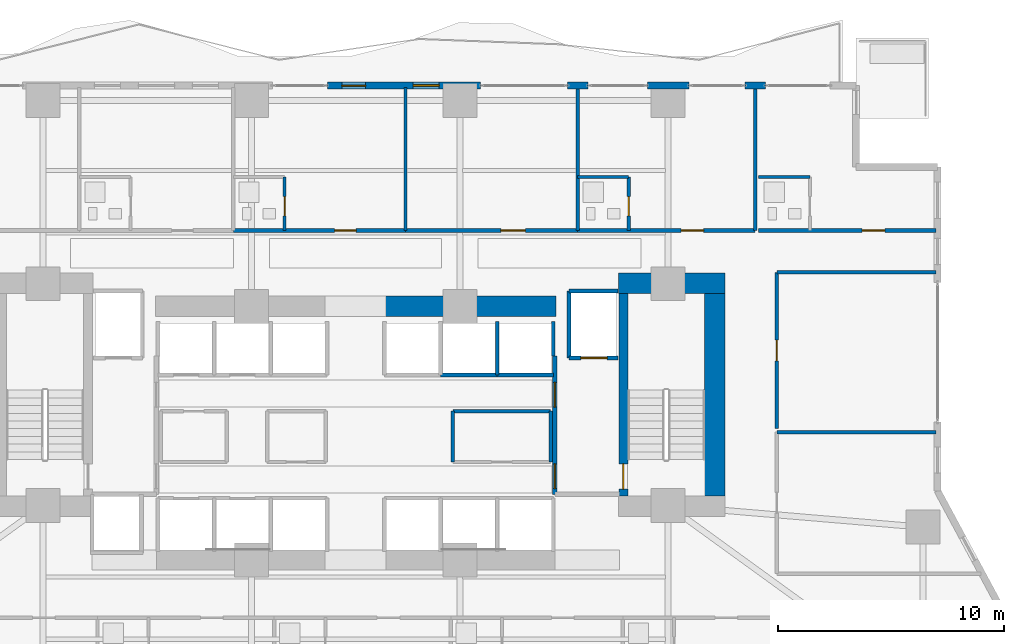
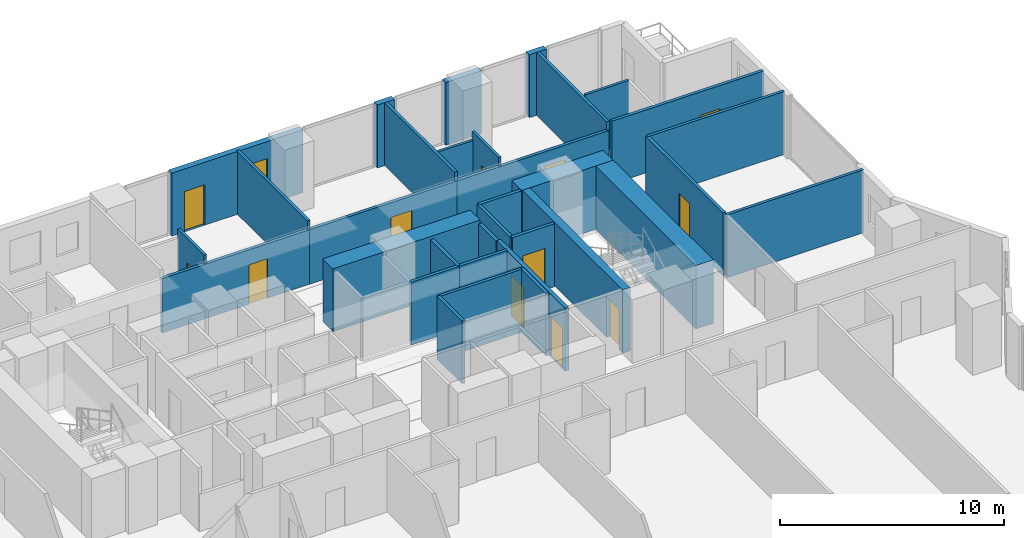
# One storey, part 22 of 28: 33 walls, 12 doors, 1 window, 13 openings.
"""IFC4 building model written with IfcOpenShell, lengths in metres."""

import ifcopenshell
import ifcopenshell.guid

model = None  # the IFC model being written
_history = None  # IfcOwnerHistory: only IFC2X3 demands one
_inside = {}  # id of a spatial element -> (the spatial element, [elements in it])
_under = {}  # id of a project, library or spatial element -> (it, [spatial elements below it])
_declared = {}  # id of a project -> (the project, [libraries it declares])
_typed = {}  # id of a type object -> (the type object, [elements of that type])
_made_of = {}  # id of a material, layer set ... -> (it, [elements and type objects made of it])


def new_model(schema):
    """Start an empty IFC model of exactly this schema.

    Asked for "IFC4X3", IfcOpenShell would pick the latest addendum, in which some entities
    have other attributes; the version numbers below select the first issue.
    IFC2X3 requires an IfcOwnerHistory on every rooted entity: one is made here for all.
    """
    global model, _history
    if schema == "IFC4X3":
        model = ifcopenshell.file(schema_version=(4, 3, 0, 0))
    else:
        model = ifcopenshell.file(schema=schema)
    _inside.clear()
    _under.clear()
    _declared.clear()
    _typed.clear()
    _made_of.clear()
    _history = None
    if model.schema == "IFC2X3":
        org = make("IfcOrganization", Name="unknown")
        user = make(
            "IfcPersonAndOrganization",
            ThePerson=make("IfcPerson", FamilyName="unknown"),
            TheOrganization=org,
        )
        app = make(
            "IfcApplication",
            ApplicationDeveloper=org,
            Version="unknown",
            ApplicationFullName="unknown",
            ApplicationIdentifier="unknown",
        )
        _history = make(
            "IfcOwnerHistory",
            OwningUser=user,
            OwningApplication=app,
            ChangeAction="ADDED",
            CreationDate=0,
        )
    return model


def make(cls, **values):
    """One entity of the class cls with the attributes given. An attribute that is None is left unset."""
    return model.create_entity(
        cls, **{name: value for name, value in values.items() if value is not None}
    )


def rooted(cls, **values):
    """An entity with a GlobalId (a new one), such as an element, a storey or a relation."""
    return make(cls, GlobalId=ifcopenshell.guid.new(), OwnerHistory=_history, **values)


def si_unit(unit_type, name, prefix=None):
    """IfcSIUnit, for example si_unit("LENGTHUNIT", "METRE", prefix="MILLI")."""
    return make("IfcSIUnit", UnitType=unit_type, Prefix=prefix, Name=name)


def assignment(units):
    """IfcUnitAssignment: the units of a project."""
    return None if units is None else make("IfcUnitAssignment", Units=units)


def point(xyz):
    """IfcCartesianPoint."""
    return None if xyz is None else make("IfcCartesianPoint", Coordinates=xyz)


def direction(xyz):
    """IfcDirection."""
    return None if xyz is None else make("IfcDirection", DirectionRatios=xyz)


def frame(location, z_axis=None, x_axis=None):
    """IfcAxis2Placement3D, a coordinate frame: its origin and axes. An axis left out is left unset."""
    return make(
        "IfcAxis2Placement3D",
        Location=point(location),
        Axis=direction(z_axis),
        RefDirection=direction(x_axis),
    )


def frame_2d(location, x_axis=None):
    """IfcAxis2Placement2D, a coordinate frame in the plane: its origin and x axis."""
    return make(
        "IfcAxis2Placement2D", Location=point(location), RefDirection=direction(x_axis)
    )


def origin():
    """The frame at (0, 0, 0) with its axes left unset."""
    return frame((0.0, 0.0, 0.0))


def place(relative_to, where):
    """IfcLocalPlacement: puts the frame where relative to a parent placement (None: the world)."""
    return make(
        "IfcLocalPlacement", PlacementRelTo=relative_to, RelativePlacement=where
    )


def context(
    kind, dimensions, precision=None, world=None, true_north=None, identifier=None
):
    """IfcGeometricRepresentationContext, for example the 3D "Model" context."""
    return make(
        "IfcGeometricRepresentationContext",
        ContextIdentifier=identifier,
        ContextType=kind,
        CoordinateSpaceDimension=dimensions,
        Precision=precision,
        WorldCoordinateSystem=world,
        TrueNorth=true_north,
    )


def subcontext(parent, identifier, kind, view, scale=None):
    """IfcGeometricRepresentationSubContext, for example "Body" below "Model"."""
    return make(
        "IfcGeometricRepresentationSubContext",
        ContextIdentifier=identifier,
        ContextType=kind,
        ParentContext=parent,
        TargetScale=scale,
        TargetView=view,
    )


def project(units=None, contexts=None):
    """IfcProject with its units and contexts."""
    return rooted(
        "IfcProject",
        Name="project",
        RepresentationContexts=contexts,
        UnitsInContext=assignment(units),
    )


def spatial(cls, under=None, at=None, **own):
    """A site, building, storey or space (cls), placed at a placement, below another one or the project."""
    s = rooted(cls, ObjectPlacement=at, **own)
    if under is not None:
        _under.setdefault(under.id(), (under, []))[1].append(s)
    return s


def profile(cls, at=None, kind="AREA", **sizes):
    """A parametric profile (cls). Its sizes go by their IFC names, for example OverallWidth=200.0."""
    return make(cls, ProfileType=kind, Position=at, **sizes)


def rectangle(**sizes):
    """IfcRectangleProfileDef."""
    return profile("IfcRectangleProfileDef", **sizes)


def extrude(swept, where, along, depth):
    """IfcExtrudedAreaSolid: the profile swept, set in the frame where, extruded along a direction by depth."""
    return make(
        "IfcExtrudedAreaSolid",
        SweptArea=swept,
        Position=where,
        ExtrudedDirection=direction(along),
        Depth=depth,
    )


def shape(context_of_items, identifier, shape_type, items):
    """IfcShapeRepresentation: the items that make up one representation, for example the "Body"."""
    return make(
        "IfcShapeRepresentation",
        ContextOfItems=context_of_items,
        RepresentationIdentifier=identifier,
        RepresentationType=shape_type,
        Items=items,
    )


def material(Name=None, Category=None):
    """IfcMaterial."""
    return make("IfcMaterial", Name=Name, Category=Category)


def layer(
    of_material, thickness, ventilated=None, Name=None, Category=None, Priority=None
):
    """IfcMaterialLayer: one layer of a wall or slab, of a material (None: an air gap)."""
    return make(
        "IfcMaterialLayer",
        Material=of_material,
        LayerThickness=thickness,
        IsVentilated=ventilated,
        Name=Name,
        Category=Category,
        Priority=Priority,
    )


def layer_set(layers, Name=None):
    """IfcMaterialLayerSet."""
    return make("IfcMaterialLayerSet", MaterialLayers=layers, LayerSetName=Name)


def made_of(thing, what):
    """Note that an element or type object is made of a material, layer set ...; save() writes the relation."""
    if what is not None:
        _made_of.setdefault(what.id(), (what, []))[1].append(thing)
    return thing


def type_object(cls, material=None, **own):
    """A type object (cls), such as IfcWallType, which elements share."""
    return made_of(rooted(cls, **own), material)


def element(
    cls,
    number,
    at=None,
    inside=None,
    cuts=None,
    type_object=None,
    material=None,
    context=None,
    identifier="Body",
    shape_type=None,
    held_by="IfcProductDefinitionShape",
    body=None,
    shapes=None,
    **own,
):
    """One element of the class cls, such as IfcWall. Its Tag is "e" and its number.

    at: its placement. inside: the storey or other place that contains it. cuts: it is an
    opening in that element (IfcRelVoidsElement). A single representation is given by context,
    identifier, shape_type and body (its items); several are given by shapes. held_by: the class
    of the entity that holds the representations. save() writes the other relations.
    """
    e = rooted(cls, Tag="e%d" % number, ObjectPlacement=at, **own)
    if body is not None:
        shapes = [shape(context, identifier, shape_type, body)]
    if shapes is not None:
        e.Representation = make(held_by, Representations=shapes)
    if inside is not None:
        _inside.setdefault(inside.id(), (inside, []))[1].append(e)
    if cuts is not None:
        rooted(
            "IfcRelVoidsElement", RelatingBuildingElement=cuts, RelatedOpeningElement=e
        )
    if type_object is not None:
        _typed.setdefault(type_object.id(), (type_object, []))[1].append(e)
    return made_of(e, material)


def fill(opening, filler):
    """IfcRelFillsElement: the door or window that sits in an opening."""
    return rooted(
        "IfcRelFillsElement",
        RelatingOpeningElement=opening,
        RelatedBuildingElement=filler,
    )


def aggregate(whole, parts):
    """IfcRelAggregates: a whole, such as a stair, and the parts it consists of."""
    return rooted("IfcRelAggregates", RelatingObject=whole, RelatedObjects=parts)


def save(model, path):
    """Write the relations noted so far, then the file.

    IfcRelAggregates (storeys below a building ...), IfcRelContainedInSpatialStructure (elements
    in a storey), IfcRelDefinesByType, IfcRelAssociatesMaterial and IfcRelDeclares: one each for
    every whole, place, type object, material and project.
    """
    for whole, parts in _under.values():
        aggregate(whole, parts)
    for where, things in _inside.values():
        rooted(
            "IfcRelContainedInSpatialStructure",
            RelatedElements=things,
            RelatingStructure=where,
        )
    for kind, things in _typed.values():
        rooted("IfcRelDefinesByType", RelatedObjects=things, RelatingType=kind)
    for what, things in _made_of.values():
        rooted("IfcRelAssociatesMaterial", RelatedObjects=things, RelatingMaterial=what)
    for by, libraries in _declared.values():
        rooted("IfcRelDeclares", RelatingContext=by, RelatedDefinitions=libraries)
    model.write(path)


model = new_model("IFC4")

# Units and contexts
model_context = context("Model", 3, precision=1e-05, world=origin(), true_north=direction((0.0, 1.0)))
body_context = subcontext(model_context, "Body", "Model", "MODEL_VIEW")
ifc_project = project(units=[si_unit("LENGTHUNIT", "METRE"), si_unit("AREAUNIT", "SQUARE_METRE"), si_unit("VOLUMEUNIT", "CUBIC_METRE"), si_unit("PLANEANGLEUNIT", "RADIAN"), si_unit("MASSUNIT", "GRAM", prefix="KILO")], contexts=[model_context])

# Site, building, storey
site_placement = place(None, origin())
site = spatial("IfcSite", under=ifc_project, at=site_placement, CompositionType="ELEMENT")
building_placement = place(site_placement, origin())
building = spatial("IfcBuilding", under=site, at=building_placement, Name="Zuhayl Quay Hotel", CompositionType="ELEMENT")
storey_placement = place(building_placement, frame((0.0, 0.0, 56.800048828125)))
storey = spatial("IfcBuildingStorey", under=building, at=storey_placement, Name="L13", CompositionType="ELEMENT", Elevation=56.800048828125)

# Walls
ifc_material_1 = material(Name="Concrete C70/85", Category="concrete")
ifc_layer_1 = layer(ifc_material_1, 0.89990234375, Name="Concrete C70/85", Category="concrete")
ifc_layer_set_1 = layer_set([ifc_layer_1], Name="Concrete C70/85")
wall_type_1 = type_object("IfcWallType", Name="WL_CORE_900", PredefinedType="SHEAR", material=ifc_layer_set_1)
wall_1_placement = place(storey_placement, frame((11.60009765625, 14.3798828125, 0.0), z_axis=(0.0, 0.0, 1.0), x_axis=(1.0, 0.0, 0.0)))
element("IfcWall", 1, at=wall_1_placement, inside=storey, type_object=wall_type_1, Name="L13 Core Shear Wall CW_NE", PredefinedType="SHEAR", context=body_context, shape_type="SweptSolid", body=[
    extrude(rectangle(XDim=4.7099609375, YDim=0.89990234375, at=frame_2d((2.35498046875, 0.0))), origin(), (0.0, 0.0, 1.0), 3.4599609375),
])
wall_2_placement = place(storey_placement, frame((15.860107421875, 4.969970703125, 0.0), z_axis=(0.0, 0.0, 1.0), x_axis=(0.0, 1.0, 0.0)))
element("IfcWall", 2, at=wall_2_placement, inside=storey, type_object=wall_type_1, Name="L13 Core Shear Wall CW_E", PredefinedType="SHEAR", context=body_context, shape_type="SweptSolid", body=[
    extrude(rectangle(XDim=8.9599609375, YDim=0.89990234375, at=frame_2d((4.47998046875, 0.0))), origin(), (0.0, 0.0, 1.0), 3.4599609375),
])
wall_3_placement = place(storey_placement, frame((1.25, 13.35009765625, 0.0), z_axis=(0.0, 0.0, 1.0), x_axis=(1.0, 0.0, 0.0)))
element("IfcWall", 3, at=wall_3_placement, inside=storey, type_object=wall_type_1, Name="L13 Core Shear Wall CW_NC_E", PredefinedType="SHEAR", context=body_context, shape_type="SweptSolid", body=[
    extrude(rectangle(XDim=7.60009765625, YDim=0.89990234375, at=frame_2d((3.800048828125, 0.0))), origin(), (0.0, 0.0, 1.0), 3.429931640625),
])

# Wall, openings, door, window
ifc_material_2 = material(Name="Precast concrete C45/55", Category="concrete")
ifc_layer_2 = layer(ifc_material_2, 0.300048828125, Name="Precast concrete C45/55", Category="concrete")
ifc_layer_set_2 = layer_set([ifc_layer_2], Name="Precast concrete C45/55")
wall_type_2 = type_object("IfcWallType", Name="WL_EXT_300", PredefinedType="STANDARD", material=ifc_layer_set_2)
wall_4_placement = place(storey_placement, frame((-1.2548828125, 23.10009765625, 0.0), z_axis=(0.0, 0.0, 1.0), x_axis=(1.0, 0.0, 0.0)))
wall_4 = element("IfcWall", 4, at=wall_4_placement, inside=storey, type_object=wall_type_2, Name="L13 Exterior Precast Wall ENV_L13_N_EW3", PredefinedType="STANDARD", context=body_context, shape_type="SweptSolid", body=[
    extrude(rectangle(XDim=6.77490234375, YDim=0.300048828125, at=frame_2d((3.387451171875, 0.0))), origin(), (0.0, 0.0, 1.0), 3.429931640625),
])
opening_1_placement = place(wall_4_placement, frame((0.64990234375, 0.0, 0.0)))
opening_1 = element("IfcOpeningElement", 5, at=opening_1_placement, cuts=wall_4, Name="Opening DG1", PredefinedType="OPENING", context=body_context, shape_type="SweptSolid", body=[
    extrude(rectangle(XDim=1.050048828125, YDim=2.199951171875, at=frame_2d((0.52490234375, 1.10009765625))), frame((0.0, 0.159912109375, 0.0), z_axis=(0.0, -1.0, 0.0), x_axis=(1.0, 0.0, 0.0)), (0.0, 0.0, 1.0), 0.320068359375),
])
opening_2_placement = place(wall_4_placement, frame((3.7900390625, 0.0, 0.949951171875)))
opening_2 = element("IfcOpeningElement", 6, at=opening_2_placement, cuts=wall_4, Name="Opening W01N", PredefinedType="OPENING", context=body_context, shape_type="SweptSolid", body=[
    extrude(rectangle(XDim=1.14990234375, YDim=1.550048828125, at=frame_2d((0.574951171875, 0.77490234375))), frame((0.0, 0.159912109375, 0.0), z_axis=(0.0, -1.0, 0.0), x_axis=(1.0, 0.0, 0.0)), (0.0, 0.0, 1.0), 0.320068359375),
])
ifc_material_3 = material(Name="Anodised Aluminium and Dark Solar Glass", Category="aluminium")
door_type_1 = type_object("IfcDoorType", Name="DR_EXT_TERR_1050", OperationType="NOTDEFINED", PredefinedType="DOOR", material=ifc_material_3)
door_1_placement = place(opening_1_placement, origin())
door_1 = element("IfcDoor", 7, at=door_1_placement, inside=storey, type_object=door_type_1, Name="L13 North Rippling Balcony Door", OperationType="SINGLE_SWING_LEFT", OverallHeight=2.199951171875, OverallWidth=1.050048828125, PredefinedType="DOOR", context=body_context, shape_type="SweptSolid", body=[
    extrude(rectangle(XDim=1.050048828125, YDim=2.199951171875, at=frame_2d((0.52490234375, 1.10009765625))), frame((0.0, 0.02490234375, 0.0), z_axis=(0.0, -1.0, 0.0), x_axis=(1.0, 0.0, 0.0)), (0.0, 0.0, 1.0), 0.050048828125),
])
fill(opening_1, door_1)
ifc_material_4 = material(Name="Dark Ceramic-Fritted Solar Glass", Category="glass")
window_type = type_object("IfcWindowType", Name="WN_NOTCH_1350", PartitioningType="SINGLE_PANEL", PredefinedType="WINDOW", material=ifc_material_4)
window_placement = place(opening_2_placement, origin())
window = element("IfcWindow", 8, at=window_placement, inside=storey, type_object=window_type, Name="L13 Operable Facade Window 3-1", OverallHeight=1.550048828125, OverallWidth=1.14990234375, PartitioningType="SINGLE_PANEL", PredefinedType="WINDOW", context=body_context, shape_type="SweptSolid", body=[
    extrude(rectangle(XDim=1.14990234375, YDim=1.550048828125, at=frame_2d((0.574951171875, 0.77490234375))), frame((0.0, 0.030029296875, 0.0), z_axis=(0.0, -1.0, 0.0), x_axis=(1.0, 0.0, 0.0)), (0.0, 0.0, 1.0), 0.06005859375),
])
fill(opening_2, window)

# Walls
wall_5_placement = place(storey_placement, frame((9.35009765625, 23.10009765625, 0.0), z_axis=(0.0, 0.0, 1.0), x_axis=(1.0, 0.0, 0.0)))
element("IfcWall", 9, at=wall_5_placement, inside=storey, type_object=wall_type_2, Name="L13 Exterior Precast Wall ENV_L13_N_EW4", PredefinedType="STANDARD", context=body_context, shape_type="SweptSolid", body=[
    extrude(rectangle(XDim=0.89990234375, YDim=0.300048828125, at=frame_2d((0.449951171875, 0.0))), origin(), (0.0, 0.0, 1.0), 3.429931640625),
])
wall_6_placement = place(storey_placement, frame((12.8798828125, 23.10009765625, 0.0), z_axis=(0.0, 0.0, 1.0), x_axis=(1.0, 0.0, 0.0)))
element("IfcWall", 10, at=wall_6_placement, inside=storey, type_object=wall_type_2, Name="L13 Exterior Precast Wall ENV_L13_N_EW5", PredefinedType="STANDARD", context=body_context, shape_type="SweptSolid", body=[
    extrude(rectangle(XDim=1.840087890625, YDim=0.300048828125, at=frame_2d((0.919921875, 0.0))), origin(), (0.0, 0.0, 1.0), 3.429931640625),
])
wall_7_placement = place(storey_placement, frame((17.18994140625, 23.10009765625, 0.0), z_axis=(0.0, 0.0, 1.0), x_axis=(1.0, 0.0, 0.0)))
element("IfcWall", 11, at=wall_7_placement, inside=storey, type_object=wall_type_2, Name="L13 Exterior Precast Wall ENV_L13_N_EW6", PredefinedType="STANDARD", context=body_context, shape_type="SweptSolid", body=[
    extrude(rectangle(XDim=0.900146484375, YDim=0.300048828125, at=frame_2d((0.4501953125, 0.0))), origin(), (0.0, 0.0, 1.0), 3.429931640625),
])
ifc_material_5 = material(Name="Acoustic Gypsum Partition STC-58")
ifc_layer_3 = layer(ifc_material_5, 0.14990234375, Name="Acoustic Gypsum Partition STC-58")
ifc_layer_set_3 = layer_set([ifc_layer_3], Name="Acoustic Gypsum Partition STC-58")
wall_type_3 = type_object("IfcWallType", Name="WL_PART_150", PredefinedType="PARTITIONING", material=ifc_layer_set_3)
wall_8_placement = place(storey_placement, frame((4.2900390625, 8.719970703125, 0.0), z_axis=(0.0, 0.0, 1.0), x_axis=(1.0, 0.0, 0.0)))
element("IfcWall", 12, at=wall_8_placement, inside=storey, type_object=wall_type_3, Name="L13 Partition IW_L13_CORE_VL_N", PredefinedType="PARTITIONING", context=body_context, shape_type="SweptSolid", body=[
    extrude(rectangle(XDim=4.320068359375, YDim=0.14990234375, at=frame_2d((2.16015625, 0.0))), origin(), (0.0, 0.0, 1.0), 3.429931640625),
])
for number, where, z_axis, x_axis, name in (
    (13, (4.2900390625, 6.47998046875, 0.0), (0.0, 0.0, 1.0), (0.0, 1.0, 0.0), "L13 Partition IW_L13_CORE_VL_W"),
    (14, (8.610107421875, 6.47998046875, 0.0), (0.0, 0.0, 1.0), (0.0, 1.0, 0.0), "L13 Partition IW_L13_CORE_VL_E"),
):
    element("IfcWall", number, at=place(storey_placement, frame(where, z_axis=z_axis, x_axis=x_axis)), inside=storey, type_object=wall_type_3, Name=name, PredefinedType="PARTITIONING", context=body_context, shape_type="SweptSolid", body=[
        extrude(rectangle(XDim=2.239990234375, YDim=0.14990234375, at=frame_2d((1.1201171875, 0.0))), origin(), (0.0, 0.0, 1.0), 3.429931640625),
    ])
wall_9_placement = place(storey_placement, frame((2.199951171875, 16.699951171875, 0.0), z_axis=(0.0, 0.0, 1.0), x_axis=(0.0, 1.0, 0.0)))
element("IfcWall", 15, at=wall_9_placement, inside=storey, type_object=wall_type_3, Name="L13 Partition IW_L13_NU03_E", PredefinedType="PARTITIONING", context=body_context, shape_type="SweptSolid", body=[
    extrude(rectangle(XDim=6.320068359375, YDim=0.14990234375, at=frame_2d((3.16015625, 0.0))), origin(), (0.0, 0.0, 1.0), 3.429931640625),
])
wall_10_placement = place(storey_placement, frame((9.800048828125, 16.699951171875, 0.0), z_axis=(0.0, 0.0, 1.0), x_axis=(0.0, 1.0, 0.0)))
element("IfcWall", 16, at=wall_10_placement, inside=storey, type_object=wall_type_3, Name="L13 Partition IW_L13_NSAL_3_E", PredefinedType="PARTITIONING", context=body_context, shape_type="SweptSolid", body=[
    extrude(rectangle(XDim=6.340087890625, YDim=0.14990234375, at=frame_2d((3.169921875, 0.0))), origin(), (0.0, 0.0, 1.0), 3.429931640625),
])
wall_11_placement = place(storey_placement, frame((17.639892578125, 16.699951171875, 0.0), z_axis=(0.0, 0.0, 1.0), x_axis=(0.0, 1.0, 0.0)))
element("IfcWall", 17, at=wall_11_placement, inside=storey, type_object=wall_type_3, Name="L13 Partition IW_L13_NU05A_E", PredefinedType="PARTITIONING", context=body_context, shape_type="SweptSolid", body=[
    extrude(rectangle(XDim=6.320068359375, YDim=0.14990234375, at=frame_2d((3.16015625, 0.0))), origin(), (0.0, 0.0, 1.0), 3.429931640625),
])
for number, where, z_axis, x_axis, name in (
    (18, (18.60009765625, 7.800048828125, 0.0), (0.0, 0.0, 1.0), (1.0, 0.0, 0.0), "L13 Partition IW_L13_HK_MAIN_N"),
    (19, (18.60009765625, 14.85009765625, 0.0), (0.0, 0.0, 1.0), (1.0, 0.0, 0.0), "L13 Partition IW_L13_EFLK_2_N"),
):
    element("IfcWall", number, at=place(storey_placement, frame(where, z_axis=z_axis, x_axis=x_axis)), inside=storey, type_object=wall_type_3, Name=name, PredefinedType="PARTITIONING", context=body_context, shape_type="SweptSolid", body=[
        extrude(rectangle(XDim=7.039794921875, YDim=0.14990234375, at=frame_2d((3.52001953125, 0.0))), origin(), (0.0, 0.0, 1.0), 3.429931640625),
    ])

# Wall, opening, door
ifc_layer_4 = layer(ifc_material_5, 0.159912109375, Name="Acoustic Gypsum Partition STC-58")
ifc_layer_set_4 = layer_set([ifc_layer_4], Name="Acoustic Gypsum Partition STC-58")
wall_type_4 = type_object("IfcWallType", Name="WL_PART_CORR_160", PredefinedType="PARTITIONING", material=ifc_layer_set_4)
wall_12_placement = place(storey_placement, frame((-5.39990234375, 16.699951171875, 0.0), z_axis=(0.0, 0.0, 1.0), x_axis=(1.0, 0.0, 0.0)))
wall_12 = element("IfcWall", 20, at=wall_12_placement, inside=storey, type_object=wall_type_4, Name="L13 Partition IW_L13_NU03_COR", PredefinedType="PARTITIONING", context=body_context, shape_type="SweptSolid", body=[
    extrude(rectangle(XDim=7.599853515625, YDim=0.159912109375, at=frame_2d((3.7998046875, 0.0))), origin(), (0.0, 0.0, 1.0), 2.972900390625),
])
opening_3_placement = place(wall_12_placement, frame((4.47509765625, 0.0, 0.0)))
opening_3 = element("IfcOpeningElement", 21, at=opening_3_placement, cuts=wall_12, Name="Opening D03", PredefinedType="OPENING", context=body_context, shape_type="SweptSolid", body=[
    extrude(rectangle(XDim=0.949951171875, YDim=2.14990234375, at=frame_2d((0.47509765625, 1.074951171875))), frame((0.0, 0.08984375, 0.0), z_axis=(0.0, -1.0, 0.0), x_axis=(1.0, 0.0, 0.0)), (0.0, 0.0, 1.0), 0.179931640625),
])
ifc_material_6 = material(Name="Solid Walnut Acoustic Fire Door")
door_type_2 = type_object("IfcDoorType", Name="DR_SUITE_950", OperationType="NOTDEFINED", PredefinedType="DOOR", material=ifc_material_6)
door_2_placement = place(opening_3_placement, origin())
door_2 = element("IfcDoor", 22, at=door_2_placement, inside=storey, type_object=door_type_2, Name="L13 Deluxe Gulf Guest Room L13-03 Entrance Door", OperationType="SINGLE_SWING_LEFT", OverallHeight=2.14990234375, OverallWidth=0.949951171875, PredefinedType="DOOR", context=body_context, shape_type="SweptSolid", body=[
    extrude(rectangle(XDim=0.949951171875, YDim=2.14990234375, at=frame_2d((0.47509765625, 1.074951171875))), frame((0.0, 0.02490234375, 0.0), z_axis=(0.0, -1.0, 0.0), x_axis=(1.0, 0.0, 0.0)), (0.0, 0.0, 1.0), 0.050048828125),
])
fill(opening_3, door_2)

wall_13_placement = place(storey_placement, frame((2.199951171875, 16.699951171875, 0.0), z_axis=(0.0, 0.0, 1.0), x_axis=(1.0, 0.0, 0.0)))
wall_13 = element("IfcWall", 23, at=wall_13_placement, inside=storey, type_object=wall_type_4, Name="L13 Partition IW_L13_NSAL_3_S", PredefinedType="PARTITIONING", context=body_context, shape_type="SweptSolid", body=[
    extrude(rectangle(XDim=7.60009765625, YDim=0.159912109375, at=frame_2d((3.800048828125, 0.0))), origin(), (0.0, 0.0, 1.0), 2.972900390625),
])
opening_4_placement = place(wall_13_placement, frame((4.2099609375, 0.0, 0.0)))
opening_4 = element("IfcOpeningElement", 24, at=opening_4_placement, cuts=wall_13, Name="Opening D05A", PredefinedType="OPENING", context=body_context, shape_type="SweptSolid", body=[
    extrude(rectangle(XDim=1.080078125, YDim=2.179931640625, at=frame_2d((0.5400390625, 1.08984375))), frame((0.0, 0.08984375, 0.0), z_axis=(0.0, -1.0, 0.0), x_axis=(1.0, 0.0, 0.0)), (0.0, 0.0, 1.0), 0.179931640625),
])
door_type_3 = type_object("IfcDoorType", Name="DR_INT_1100", OperationType="NOTDEFINED", PredefinedType="DOOR", material=ifc_material_6)
door_3_placement = place(opening_4_placement, origin())
door_3 = element("IfcDoor", 25, at=door_3_placement, inside=storey, type_object=door_type_3, Name="L13 Club Breakfast Salon Door", OperationType="SINGLE_SWING_RIGHT", OverallHeight=2.179931640625, OverallWidth=1.080078125, PredefinedType="DOOR", context=body_context, shape_type="SweptSolid", body=[
    extrude(rectangle(XDim=1.080078125, YDim=2.179931640625, at=frame_2d((0.5400390625, 1.08984375))), frame((0.0, 0.02490234375, 0.0), z_axis=(0.0, -1.0, 0.0), x_axis=(1.0, 0.0, 0.0)), (0.0, 0.0, 1.0), 0.050048828125),
])
fill(opening_4, door_3)

wall_14_placement = place(storey_placement, frame((9.800048828125, 16.699951171875, 0.0), z_axis=(0.0, 0.0, 1.0), x_axis=(1.0, 0.0, 0.0)))
wall_14 = element("IfcWall", 26, at=wall_14_placement, inside=storey, type_object=wall_type_4, Name="L13 Partition IW_L13_NU05A_COR", PredefinedType="PARTITIONING", context=body_context, shape_type="SweptSolid", body=[
    extrude(rectangle(XDim=7.83984375, YDim=0.159912109375, at=frame_2d((3.919921875, 0.0))), origin(), (0.0, 0.0, 1.0), 2.972900390625),
])
opening_5_placement = place(wall_14_placement, frame((4.570068359375, 0.0, 0.0)))
opening_5 = element("IfcOpeningElement", 27, at=opening_5_placement, cuts=wall_14, Name="Opening D03L", PredefinedType="OPENING", context=body_context, shape_type="SweptSolid", body=[
    extrude(rectangle(XDim=1.0, YDim=2.14990234375, at=frame_2d((0.5, 1.074951171875))), frame((0.0, 0.08984375, 0.0), z_axis=(0.0, -1.0, 0.0), x_axis=(1.0, 0.0, 0.0)), (0.0, 0.0, 1.0), 0.179931640625),
])
door_type_4 = type_object("IfcDoorType", Name="DR_SUITE_1000", OperationType="NOTDEFINED", PredefinedType="DOOR", material=ifc_material_6)
door_4_placement = place(opening_5_placement, origin())
door_4 = element("IfcDoor", 28, at=door_4_placement, inside=storey, type_object=door_type_4, Name="L13 Deluxe Gulf Guest Room L13-05A Entrance Door", OperationType="SINGLE_SWING_RIGHT", OverallHeight=2.14990234375, OverallWidth=1.0, PredefinedType="DOOR", context=body_context, shape_type="SweptSolid", body=[
    extrude(rectangle(XDim=1.0, YDim=2.14990234375, at=frame_2d((0.5, 1.074951171875))), frame((0.0, 0.02490234375, 0.0), z_axis=(0.0, -1.0, 0.0), x_axis=(1.0, 0.0, 0.0)), (0.0, 0.0, 1.0), 0.050048828125),
])
fill(opening_5, door_4)

wall_15_placement = place(storey_placement, frame((17.800048828125, 16.699951171875, 0.0), z_axis=(0.0, 0.0, 1.0), x_axis=(1.0, 0.0, 0.0)))
wall_15 = element("IfcWall", 29, at=wall_15_placement, inside=storey, type_object=wall_type_4, Name="L13 Partition IW_L13_NU05B_COR", PredefinedType="PARTITIONING", context=body_context, shape_type="SweptSolid", body=[
    extrude(rectangle(XDim=7.83984375, YDim=0.159912109375, at=frame_2d((3.919921875, 0.0))), origin(), (0.0, 0.0, 1.0), 3.429931640625),
])
opening_6_placement = place(wall_15_placement, frame((4.570068359375, 0.0, 0.0)))
opening_6 = element("IfcOpeningElement", 30, at=opening_6_placement, cuts=wall_15, Name="Opening D03L", PredefinedType="OPENING", context=body_context, shape_type="SweptSolid", body=[
    extrude(rectangle(XDim=1.0, YDim=2.14990234375, at=frame_2d((0.5, 1.074951171875))), frame((0.0, 0.08984375, 0.0), z_axis=(0.0, -1.0, 0.0), x_axis=(1.0, 0.0, 0.0)), (0.0, 0.0, 1.0), 0.179931640625),
])
door_5_placement = place(opening_6_placement, origin())
door_5 = element("IfcDoor", 31, at=door_5_placement, inside=storey, type_object=door_type_4, Name="L13 Deluxe Gulf Guest Room L13-05B Entrance Door", OperationType="SINGLE_SWING_RIGHT", OverallHeight=2.14990234375, OverallWidth=1.0, PredefinedType="DOOR", context=body_context, shape_type="SweptSolid", body=[
    extrude(rectangle(XDim=1.0, YDim=2.14990234375, at=frame_2d((0.5, 1.074951171875))), frame((0.0, 0.02490234375, 0.0), z_axis=(0.0, -1.0, 0.0), x_axis=(1.0, 0.0, 0.0)), (0.0, 0.0, 1.0), 0.050048828125),
])
fill(opening_6, door_5)

wall_16_placement = place(storey_placement, frame((18.60009765625, 7.9599609375, 0.0), z_axis=(0.0, 0.0, 1.0), x_axis=(0.0, 1.0, 0.0)))
wall_16 = element("IfcWall", 32, at=wall_16_placement, inside=storey, type_object=wall_type_4, Name="L13 Partition IW_L13_EFLK_2_W", PredefinedType="PARTITIONING", context=body_context, shape_type="SweptSolid", body=[
    extrude(rectangle(XDim=6.89013671875, YDim=0.159912109375, at=frame_2d((3.445068359375, 0.0))), origin(), (0.0, 0.0, 1.0), 3.429931640625),
])
opening_7_placement = place(wall_16_placement, frame((2.985107421875, 0.0, 0.0)))
opening_7 = element("IfcOpeningElement", 33, at=opening_7_placement, cuts=wall_16, Name="Opening D05", PredefinedType="OPENING", context=body_context, shape_type="SweptSolid", body=[
    extrude(rectangle(XDim=0.919921875, YDim=2.1201171875, at=frame_2d((0.4599609375, 1.06005859375))), frame((0.0, 0.08984375, 0.0), z_axis=(0.0, -1.0, 0.0), x_axis=(1.0, 0.0, 0.0)), (0.0, 0.0, 1.0), 0.179931640625),
])
door_type_5 = type_object("IfcDoorType", Name="DR_INT_950", OperationType="NOTDEFINED", PredefinedType="DOOR", material=ifc_material_6)
door_6_placement = place(opening_7_placement, origin())
door_6 = element("IfcDoor", 34, at=door_6_placement, inside=storey, type_object=door_type_5, Name="L13 Floor Beverage and Ice Pantry Door", OperationType="SINGLE_SWING_RIGHT", OverallHeight=2.1201171875, OverallWidth=0.919921875, PredefinedType="DOOR", context=body_context, shape_type="SweptSolid", body=[
    extrude(rectangle(XDim=0.919921875, YDim=2.1201171875, at=frame_2d((0.4599609375, 1.06005859375))), frame((0.0, 0.02490234375, 0.0), z_axis=(0.0, -1.0, 0.0), x_axis=(1.0, 0.0, 0.0)), (0.0, 0.0, 1.0), 0.050048828125),
])
fill(opening_7, door_6)

ifc_material_7 = material(Name="Moisture-Resistant Sanitarychase Gypsum")
ifc_layer_5 = layer(ifc_material_7, 0.135009765625, Name="Moisture-Resistant Sanitarychase Gypsum")
ifc_layer_set_5 = layer_set([ifc_layer_5], Name="Moisture-Resistant Sanitarychase Gypsum")
wall_type_5 = type_object("IfcWallType", Name="WL_PART_PLUMB_150", PredefinedType="PLUMBINGWALL", material=ifc_layer_set_5)
wall_17_placement = place(storey_placement, frame((-3.139892578125, 16.699951171875, 0.0), z_axis=(0.0, 0.0, 1.0), x_axis=(0.0, 1.0, 0.0)))
wall_17 = element("IfcWall", 35, at=wall_17_placement, inside=storey, type_object=wall_type_5, Name="L13 Partition IW_L13_NU03_BE", PredefinedType="PLUMBINGWALL", context=body_context, shape_type="SweptSolid", body=[
    extrude(rectangle(XDim=2.360107421875, YDim=0.135009765625, at=frame_2d((1.18017578125, 0.0))), origin(), (0.0, 0.0, 1.0), 3.429931640625),
])
opening_8_placement = place(wall_17_placement, frame((0.64990234375, 0.0, 0.0)))
opening_8 = element("IfcOpeningElement", 36, at=opening_8_placement, cuts=wall_17, Name="Opening D04", PredefinedType="OPENING", context=body_context, shape_type="SweptSolid", body=[
    extrude(rectangle(XDim=0.85009765625, YDim=2.10009765625, at=frame_2d((0.425048828125, 1.050048828125))), frame((0.0, 0.077392578125, 0.0), z_axis=(0.0, -1.0, 0.0), x_axis=(1.0, 0.0, 0.0)), (0.0, 0.0, 1.0), 0.155029296875),
])
ifc_material_8 = material(Name="Moisture-Resistant Walnut Veneer")
door_type_6 = type_object("IfcDoorType", Name="DR_BATH_850", OperationType="NOTDEFINED", PredefinedType="DOOR", material=ifc_material_8)
door_7_placement = place(opening_8_placement, origin())
door_7 = element("IfcDoor", 37, at=door_7_placement, inside=storey, type_object=door_type_6, Name="L13 Deluxe Gulf Guest Room L13-03 En-Suite Door", OperationType="SINGLE_SWING_RIGHT", OverallHeight=2.10009765625, OverallWidth=0.85009765625, PredefinedType="DOOR", context=body_context, shape_type="SweptSolid", body=[
    extrude(rectangle(XDim=0.85009765625, YDim=2.10009765625, at=frame_2d((0.425048828125, 1.050048828125))), frame((0.0, 0.02490234375, 0.0), z_axis=(0.0, -1.0, 0.0), x_axis=(1.0, 0.0, 0.0)), (0.0, 0.0, 1.0), 0.050048828125),
])
fill(opening_8, door_7)

wall_18_placement = place(storey_placement, frame((12.06005859375, 16.699951171875, 0.0), z_axis=(0.0, 0.0, 1.0), x_axis=(0.0, 1.0, 0.0)))
wall_18 = element("IfcWall", 38, at=wall_18_placement, inside=storey, type_object=wall_type_5, Name="L13 Partition IW_L13_NU05A_BE", PredefinedType="PLUMBINGWALL", context=body_context, shape_type="SweptSolid", body=[
    extrude(rectangle(XDim=2.360107421875, YDim=0.135009765625, at=frame_2d((1.18017578125, 0.0))), origin(), (0.0, 0.0, 1.0), 3.429931640625),
])
opening_9_placement = place(wall_18_placement, frame((0.64990234375, 0.0, 0.0)))
opening_9 = element("IfcOpeningElement", 39, at=opening_9_placement, cuts=wall_18, Name="Opening D04", PredefinedType="OPENING", context=body_context, shape_type="SweptSolid", body=[
    extrude(rectangle(XDim=0.85009765625, YDim=2.10009765625, at=frame_2d((0.425048828125, 1.050048828125))), frame((0.0, 0.077392578125, 0.0), z_axis=(0.0, -1.0, 0.0), x_axis=(1.0, 0.0, 0.0)), (0.0, 0.0, 1.0), 0.155029296875),
])
door_8_placement = place(opening_9_placement, origin())
door_8 = element("IfcDoor", 40, at=door_8_placement, inside=storey, type_object=door_type_6, Name="L13 Deluxe Gulf Guest Room L13-05A En-Suite Door", OperationType="SINGLE_SWING_LEFT", OverallHeight=2.10009765625, OverallWidth=0.85009765625, PredefinedType="DOOR", context=body_context, shape_type="SweptSolid", body=[
    extrude(rectangle(XDim=0.85009765625, YDim=2.10009765625, at=frame_2d((0.425048828125, 1.050048828125))), frame((0.0, 0.02490234375, 0.0), z_axis=(0.0, -1.0, 0.0), x_axis=(1.0, 0.0, 0.0)), (0.0, 0.0, 1.0), 0.050048828125),
])
fill(opening_9, door_8)

# Walls
wall_19_placement = place(storey_placement, frame((9.800048828125, 19.06005859375, 0.0), z_axis=(0.0, 0.0, 1.0), x_axis=(1.0, 0.0, 0.0)))
element("IfcWall", 41, at=wall_19_placement, inside=storey, type_object=wall_type_5, Name="L13 Partition IW_L13_NU05A_BN", PredefinedType="PLUMBINGWALL", context=body_context, shape_type="SweptSolid", body=[
    extrude(rectangle(XDim=2.260009765625, YDim=0.135009765625, at=frame_2d((1.1298828125, 0.0))), origin(), (0.0, 0.0, 1.0), 2.972900390625),
])
wall_20_placement = place(storey_placement, frame((17.800048828125, 19.06005859375, 0.0), z_axis=(0.0, 0.0, 1.0), x_axis=(1.0, 0.0, 0.0)))
element("IfcWall", 42, at=wall_20_placement, inside=storey, type_object=wall_type_5, Name="L13 Partition IW_L13_NU05B_BN", PredefinedType="PLUMBINGWALL", context=body_context, shape_type="SweptSolid", body=[
    extrude(rectangle(XDim=2.260009765625, YDim=0.135009765625, at=frame_2d((1.1298828125, 0.0))), origin(), (0.0, 0.0, 1.0), 3.429931640625),
])

# Wall, opening, door
ifc_material_9 = material(Name="Gypsum Fireboard Assembly EI-90")
ifc_layer_6 = layer(ifc_material_9, 0.1650390625, Name="Gypsum Fireboard Assembly EI-90")
ifc_layer_set_6 = layer_set([ifc_layer_6], Name="Gypsum Fireboard Assembly EI-90")
wall_type_6 = type_object("IfcWallType", Name="WL_PART_SHAFT_160", PredefinedType="PARTITIONING", material=ifc_layer_set_6)
wall_21_placement = place(storey_placement, frame((9.419921875, 11.070068359375, 0.0), z_axis=(0.0, 0.0, 1.0), x_axis=(1.0, 0.0, 0.0)))
wall_21 = element("IfcWall", 43, at=wall_21_placement, inside=storey, type_object=wall_type_6, Name="L13 Partition IW_L13_SH_FL2_F", PredefinedType="PARTITIONING", context=body_context, shape_type="SweptSolid", body=[
    extrude(rectangle(XDim=2.16015625, YDim=0.1650390625, at=frame_2d((1.080078125, 0.0))), origin(), (0.0, 0.0, 1.0), 3.429931640625),
])
opening_10_placement = place(wall_21_placement, frame((0.530029296875, 0.0, 0.0)))
opening_10 = element("IfcOpeningElement", 44, at=opening_10_placement, cuts=wall_21, Name="Opening LD2", PredefinedType="OPENING", context=body_context, shape_type="SweptSolid", body=[
    extrude(rectangle(XDim=1.14990234375, YDim=2.25, at=frame_2d((0.574951171875, 1.125))), frame((0.0, 0.092529296875, 0.0), z_axis=(0.0, -1.0, 0.0), x_axis=(1.0, 0.0, 0.0)), (0.0, 0.0, 1.0), 0.18505859375),
])
ifc_material_10 = material(Name="Brushed Stainless Steel", Category="steel")
door_type_7 = type_object("IfcDoorType", Name="DR_LIFT_FF_1100", OperationType="SLIDING_TO_LEFT", PredefinedType="DOOR", material=ifc_material_10)
door_9_placement = place(opening_10_placement, origin())
door_9 = element("IfcDoor", 45, at=door_9_placement, inside=storey, type_object=door_type_7, Name="L13 Lift FL2 Sliding Landing Door", OperationType="SLIDING_TO_LEFT", OverallHeight=2.25, OverallWidth=1.14990234375, PredefinedType="DOOR", context=body_context, shape_type="SweptSolid", body=[
    extrude(rectangle(XDim=1.14990234375, YDim=2.25, at=frame_2d((0.574951171875, 1.125))), frame((0.0, 0.02490234375, 0.0), z_axis=(0.0, -1.0, 0.0), x_axis=(1.0, 0.0, 0.0)), (0.0, 0.0, 1.0), 0.050048828125),
])
fill(opening_10, door_9)

# Walls
wall_22_placement = place(storey_placement, frame((9.419921875, 11.070068359375, 0.0), z_axis=(0.0, 0.0, 1.0), x_axis=(0.0, 1.0, 0.0)))
element("IfcWall", 46, at=wall_22_placement, inside=storey, type_object=wall_type_6, Name="L13 Partition IW_L13_SH_FL2_W", PredefinedType="PARTITIONING", context=body_context, shape_type="SweptSolid", body=[
    extrude(rectangle(XDim=2.9599609375, YDim=0.1650390625, at=frame_2d((1.47998046875, 0.0))), origin(), (0.0, 0.0, 1.0), 3.429931640625),
])
wall_23_placement = place(storey_placement, frame((9.419921875, 14.030029296875, 0.0), z_axis=(0.0, 0.0, 1.0), x_axis=(1.0, 0.0, 0.0)))
element("IfcWall", 47, at=wall_23_placement, inside=storey, type_object=wall_type_6, Name="L13 Partition IW_L13_SH_FL2_B", PredefinedType="PARTITIONING", context=body_context, shape_type="SweptSolid", body=[
    extrude(rectangle(XDim=2.16015625, YDim=0.1650390625, at=frame_2d((1.080078125, 0.0))), origin(), (0.0, 0.0, 1.0), 3.429931640625),
])
wall_24_placement = place(storey_placement, frame((3.75, 10.320068359375, 0.0), z_axis=(0.0, 0.0, 1.0), x_axis=(1.0, 0.0, 0.0)))
element("IfcWall", 48, at=wall_24_placement, inside=storey, type_object=wall_type_6, Name="L13 Partition IW_L13_SH_HP3_F", PredefinedType="PARTITIONING", context=body_context, shape_type="SweptSolid", body=[
    extrude(rectangle(XDim=2.5, YDim=0.1650390625, at=frame_2d((1.25, 0.0))), origin(), (0.0, 0.0, 1.0), 3.429931640625),
])
wall_25_placement = place(storey_placement, frame((6.25, 10.320068359375, 0.0), z_axis=(0.0, 0.0, 1.0), x_axis=(0.0, 1.0, 0.0)))
element("IfcWall", 49, at=wall_25_placement, inside=storey, type_object=wall_type_6, Name="L13 Partition IW_L13_SH_HP3_E", PredefinedType="PARTITIONING", context=body_context, shape_type="SweptSolid", body=[
    extrude(rectangle(XDim=2.35986328125, YDim=0.1650390625, at=frame_2d((1.179931640625, 0.0))), origin(), (0.0, 0.0, 1.0), 3.429931640625),
])
wall_26_placement = place(storey_placement, frame((6.25, 10.320068359375, 0.0), z_axis=(0.0, 0.0, 1.0), x_axis=(1.0, 0.0, 0.0)))
element("IfcWall", 50, at=wall_26_placement, inside=storey, type_object=wall_type_6, Name="L13 Partition IW_L13_SH_HP4_F", PredefinedType="PARTITIONING", context=body_context, shape_type="SweptSolid", body=[
    extrude(rectangle(XDim=2.47998046875, YDim=0.1650390625, at=frame_2d((1.239990234375, 0.0))), origin(), (0.0, 0.0, 1.0), 3.429931640625),
])
wall_27_placement = place(storey_placement, frame((8.72998046875, 11.14990234375, 0.0), z_axis=(0.0, 0.0, 1.0), x_axis=(0.0, 1.0, 0.0)))
element("IfcWall", 51, at=wall_27_placement, inside=storey, type_object=wall_type_6, Name="L13 Partition IW_L13_SH_HP4_E", PredefinedType="PARTITIONING", context=body_context, shape_type="SweptSolid", body=[
    extrude(rectangle(XDim=1.530029296875, YDim=0.1650390625, at=frame_2d((0.76513671875, 0.0))), origin(), (0.0, 0.0, 1.0), 3.429931640625),
])

# Wall, openings, doors
ifc_material_11 = material(Name="Gypsum Fireboard Assembly EI-120")
ifc_layer_7 = layer(ifc_material_11, 0.199951171875, Name="Gypsum Fireboard Assembly EI-120")
ifc_layer_set_7 = layer_set([ifc_layer_7], Name="Gypsum Fireboard Assembly EI-120")
wall_type_7 = type_object("IfcWallType", Name="WL_PART_SHAFT_200", PredefinedType="PARTITIONING", material=ifc_layer_set_7)
wall_28_placement = place(storey_placement, frame((8.800048828125, 11.14990234375, 0.0), z_axis=(0.0, 0.0, 1.0), x_axis=(0.0, -1.0, 0.0)))
wall_28 = element("IfcWall", 52, at=wall_28_placement, inside=storey, type_object=wall_type_7, Name="L13 Partition IW_L13_FSAE_E_W", PredefinedType="PARTITIONING", context=body_context, shape_type="SweptSolid", body=[
    extrude(rectangle(XDim=6.099853515625, YDim=0.199951171875, at=frame_2d((3.0498046875, 0.0))), origin(), (0.0, 0.0, 1.0), 3.429931640625),
])
opening_11_placement = place(wall_28_placement, frame((1.14990234375, 0.0, 0.0)))
opening_11 = element("IfcOpeningElement", 53, at=opening_11_placement, cuts=wall_28, Name="Opening D02", PredefinedType="OPENING", context=body_context, shape_type="SweptSolid", body=[
    extrude(rectangle(XDim=1.10009765625, YDim=2.199951171875, at=frame_2d((0.550048828125, 1.10009765625))), frame((0.0, 0.10986328125, 0.0), z_axis=(0.0, -1.0, 0.0), x_axis=(1.0, 0.0, 0.0)), (0.0, 0.0, 1.0), 0.219970703125),
])
opening_12_placement = place(wall_28_placement, frame((4.75, 0.0, 0.0)))
opening_12 = element("IfcOpeningElement", 54, at=opening_12_placement, cuts=wall_28, Name="Opening D02", PredefinedType="OPENING", context=body_context, shape_type="SweptSolid", body=[
    extrude(rectangle(XDim=1.10009765625, YDim=2.199951171875, at=frame_2d((0.550048828125, 1.10009765625))), frame((0.0, 0.10986328125, 0.0), z_axis=(0.0, -1.0, 0.0), x_axis=(1.0, 0.0, 0.0)), (0.0, 0.0, 1.0), 0.219970703125),
])
ifc_material_12 = material(Name="Steel ASTM A992 Grade 50", Category="steel")
door_type_8 = type_object("IfcDoorType", Name="DR_FIRE_90_1100", OperationType="NOTDEFINED", PredefinedType="DOOR", material=ifc_material_12)
door_10_placement = place(opening_11_placement, origin())
door_10 = element("IfcDoor", 55, at=door_10_placement, inside=storey, type_object=door_type_8, Name="L13 FSAE Lobby East North Entry Door", OperationType="SINGLE_SWING_LEFT", OverallHeight=2.199951171875, OverallWidth=1.10009765625, PredefinedType="DOOR", context=body_context, shape_type="SweptSolid", body=[
    extrude(rectangle(XDim=1.10009765625, YDim=2.199951171875, at=frame_2d((0.550048828125, 1.10009765625))), frame((0.0, 0.02490234375, 0.0), z_axis=(0.0, -1.0, 0.0), x_axis=(1.0, 0.0, 0.0)), (0.0, 0.0, 1.0), 0.050048828125),
])
fill(opening_11, door_10)
door_11_placement = place(opening_12_placement, origin())
door_11 = element("IfcDoor", 56, at=door_11_placement, inside=storey, type_object=door_type_8, Name="L13 FSAE Lobby East South Entry Door", OperationType="SINGLE_SWING_RIGHT", OverallHeight=2.199951171875, OverallWidth=1.10009765625, PredefinedType="DOOR", context=body_context, shape_type="SweptSolid", body=[
    extrude(rectangle(XDim=1.10009765625, YDim=2.199951171875, at=frame_2d((0.550048828125, 1.10009765625))), frame((0.0, 0.02490234375, 0.0), z_axis=(0.0, -1.0, 0.0), x_axis=(1.0, 0.0, 0.0)), (0.0, 0.0, 1.0), 0.050048828125),
])
fill(opening_12, door_11)

# Wall, opening, door
ifc_material_13 = material(Name="Concrete C60/75", Category="concrete")
ifc_layer_8 = layer(ifc_material_13, 0.39990234375, Name="Concrete C60/75", Category="concrete")
ifc_layer_set_8 = layer_set([ifc_layer_8], Name="Concrete C60/75")
wall_type_8 = type_object("IfcWallType", Name="WL_STAIR_400", PredefinedType="SHEAR", material=ifc_layer_set_8)
wall_29_placement = place(storey_placement, frame((11.820068359375, 13.929931640625, 0.0), z_axis=(0.0, 0.0, 1.0), x_axis=(0.0, -1.0, 0.0)))
wall_29 = element("IfcWall", 57, at=wall_29_placement, inside=storey, type_object=wall_type_8, Name="L13 Core Shear Wall SW_ST2", PredefinedType="SHEAR", context=body_context, shape_type="SweptSolid", body=[
    extrude(rectangle(XDim=8.9599609375, YDim=0.39990234375, at=frame_2d((4.47998046875, 0.0))), origin(), (0.0, 0.0, 1.0), 3.4599609375),
])
opening_13_placement = place(wall_29_placement, frame((7.530029296875, 0.0, 0.0)))
opening_13 = element("IfcOpeningElement", 58, at=opening_13_placement, cuts=wall_29, Name="Opening D01", PredefinedType="OPENING", context=body_context, shape_type="SweptSolid", body=[
    extrude(rectangle(XDim=1.1201171875, YDim=2.219970703125, at=frame_2d((0.56005859375, 1.10986328125))), frame((0.0, 0.2099609375, 0.0), z_axis=(0.0, -1.0, 0.0), x_axis=(1.0, 0.0, 0.0)), (0.0, 0.0, 1.0), 0.419921875),
])
door_type_9 = type_object("IfcDoorType", Name="DR_STAIR_90_1100", OperationType="NOTDEFINED", PredefinedType="DOOR", material=ifc_material_12)
door_12_placement = place(opening_13_placement, origin())
door_12 = element("IfcDoor", 59, at=door_12_placement, inside=storey, type_object=door_type_9, Name="L13 Smokeproof Exit Stair ST2 Door", OperationType="SINGLE_SWING_RIGHT", OverallHeight=2.219970703125, OverallWidth=1.1201171875, PredefinedType="DOOR", context=body_context, shape_type="SweptSolid", body=[
    extrude(rectangle(XDim=1.1201171875, YDim=2.219970703125, at=frame_2d((0.56005859375, 1.10986328125))), frame((0.0, 0.02490234375, 0.0), z_axis=(0.0, -1.0, 0.0), x_axis=(1.0, 0.0, 0.0)), (0.0, 0.0, 1.0), 0.050048828125),
])
fill(opening_13, door_12)

save(model, "model.ifc")
